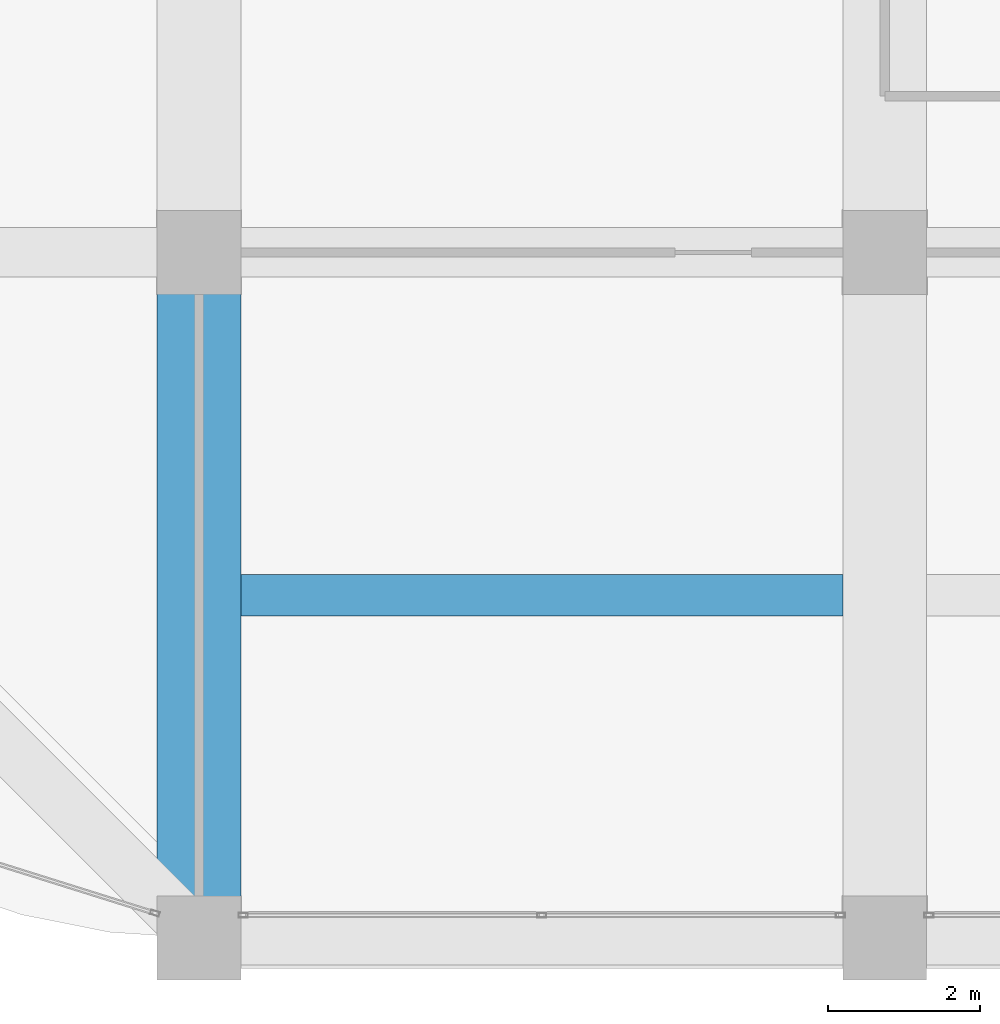
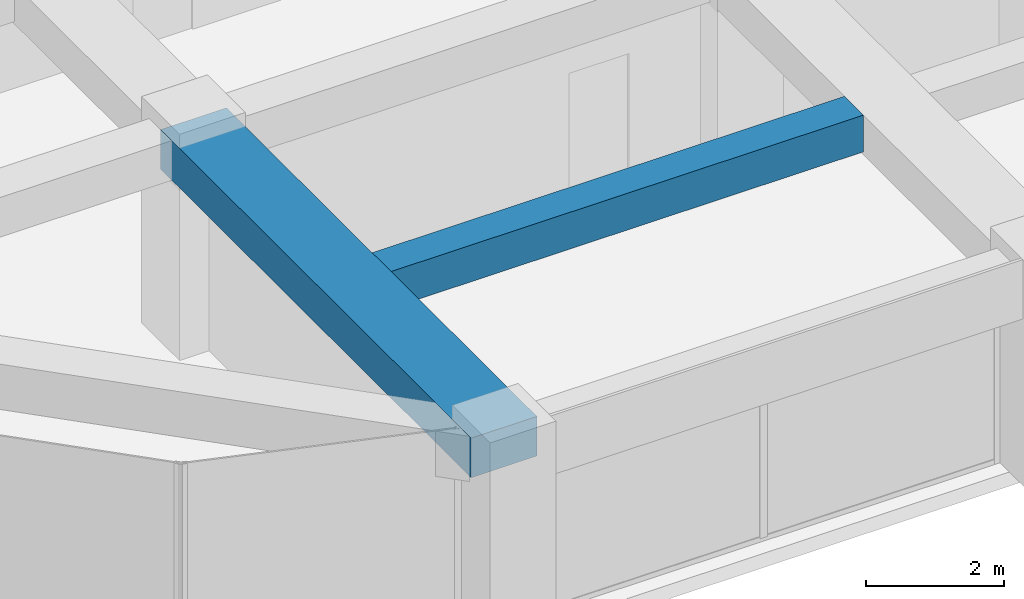
# One storey, part 5 of 45: 2 beams.
"""IFC4 building model written with IfcOpenShell, lengths in metres."""

from ifc_helpers import new_model, si_unit, direction, frame, origin, origin_2d, place, context, subcontext, project, spatial, rectangle, extrude, material, material_profile, profile_set, type_object, element, save


model = new_model("IFC4")

# Units and contexts
model_context = context("Model", 3, precision=1e-05, world=origin(), true_north=direction((0.0, 1.0)))
body_context = subcontext(model_context, "Body", "Model", "MODEL_VIEW")
ifc_project = project(units=[si_unit("LENGTHUNIT", "METRE"), si_unit("AREAUNIT", "SQUARE_METRE"), si_unit("VOLUMEUNIT", "CUBIC_METRE"), si_unit("PLANEANGLEUNIT", "RADIAN"), si_unit("MASSUNIT", "GRAM", prefix="KILO")], contexts=[model_context])

# Site, building, storey
site_placement = place(None, origin())
site = spatial("IfcSite", under=ifc_project, at=site_placement, CompositionType="ELEMENT")
building_placement = place(site_placement, origin())
building = spatial("IfcBuilding", under=site, at=building_placement, Name="Zorevar Civic Tower", CompositionType="ELEMENT")
storey_placement = place(building_placement, frame((0.0, 0.0, 279.39990234375)))
storey = spatial("IfcBuildingStorey", under=building, at=storey_placement, Name="L68", CompositionType="ELEMENT", Elevation=279.39990234375)

# Beams
ifc_material_1 = material(Name="Concrete C50/60", Category="concrete")
ifc_material_profile_1 = material_profile(ifc_material_1, rectangle(XDim=1.10009765625, YDim=0.699951171875, at=origin_2d()), Name="RC 1100x700")
ifc_profile_set_1 = profile_set([ifc_material_profile_1], Name="Concrete C50/60")
beam_type_1 = type_object("IfcBeamType", Name="Beam RC 1100x700", PredefinedType="BEAM", material=ifc_profile_set_1)
beam_1_placement = place(storey_placement, frame((18.0, 0.0, 3.400146484375), z_axis=(0.0, 1.0, 0.0), x_axis=(-1.0, 0.0, 0.0)))
element("IfcBeam", 1, at=beam_1_placement, inside=storey, type_object=beam_type_1, Name="Girder L69", PredefinedType="BEAM", context=body_context, shape_type="SweptSolid", body=[
    extrude(rectangle(XDim=1.10009765625, YDim=0.699951171875, at=origin_2d()), origin(), (0.0, 0.0, 1.0), 9.0),
])
ifc_material_2 = material(Name="Concrete C50/60", Category="concrete")
ifc_material_profile_2 = material_profile(ifc_material_2, rectangle(XDim=0.550048828125, YDim=0.64990234375, at=origin_2d()), Name="RC 550x650")
ifc_profile_set_2 = profile_set([ifc_material_profile_2], Name="Concrete C50/60")
beam_type_2 = type_object("IfcBeamType", Name="Beam RC 550x650", PredefinedType="BEAM", material=ifc_profile_set_2)
beam_2_placement = place(storey_placement, frame((18.550048828125, 4.5, 3.425048828125), z_axis=(1.0, 0.0, 0.0), x_axis=(0.0, 1.0, 0.0)))
element("IfcBeam", 2, at=beam_2_placement, inside=storey, type_object=beam_type_2, Name="Secondary beam L69", PredefinedType="BEAM", context=body_context, shape_type="SweptSolid", body=[
    extrude(rectangle(XDim=0.550048828125, YDim=0.64990234375, at=origin_2d()), origin(), (0.0, 0.0, 1.0), 7.89990234375),
])

save(model, "model.ifc")
